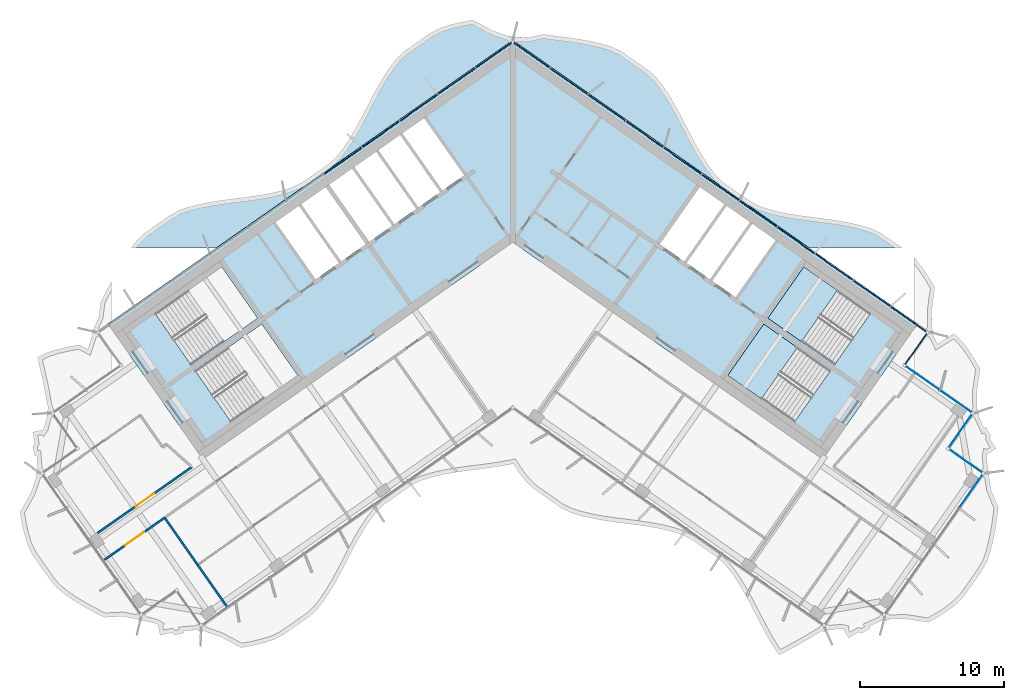
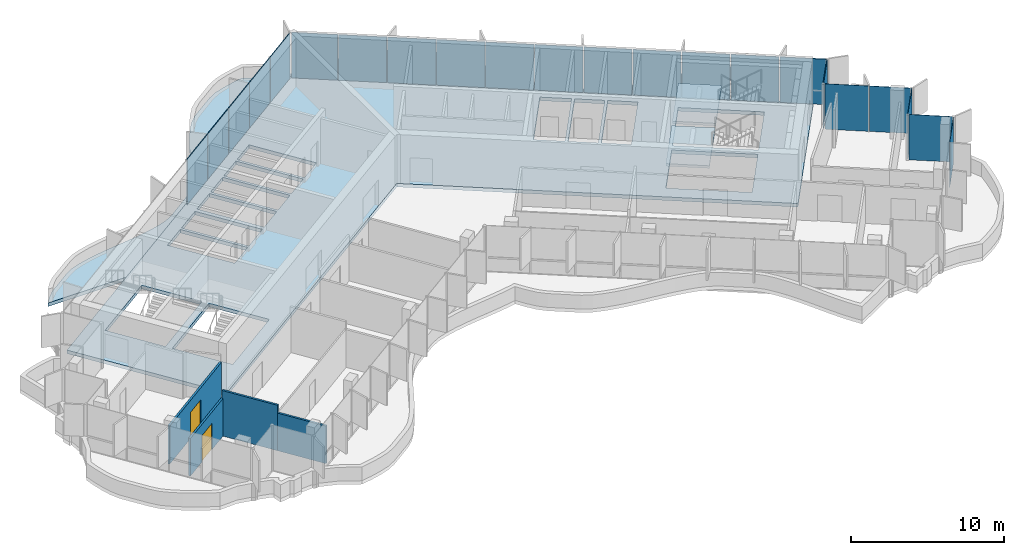
# One storey, part 10 of 20: 22 plates, 4 slabs, 4 walls, 2 doors, 2 openings, 4 elements without a shape of their own.
"""IFC4 building model written with IfcOpenShell, lengths in metres."""

from ifc_helpers import new_model, si_unit, direction, frame, frame_2d, origin, origin_2d, place, context, subcontext, project, spatial, polyline, rectangle, outline, extrude, material, layer, layer_set, type_object, element, fill, aggregate, save


model = new_model("IFC4")

# Units and contexts
model_context = context("Model", 3, precision=1e-05, world=origin(), true_north=direction((0.0, 1.0)))
body_context = subcontext(model_context, "Body", "Model", "MODEL_VIEW")
ifc_project = project(units=[si_unit("LENGTHUNIT", "METRE"), si_unit("AREAUNIT", "SQUARE_METRE"), si_unit("VOLUMEUNIT", "CUBIC_METRE"), si_unit("PLANEANGLEUNIT", "RADIAN"), si_unit("MASSUNIT", "GRAM", prefix="KILO")], contexts=[model_context])

# Site, building, storey
site_placement = place(None, origin())
site = spatial("IfcSite", under=ifc_project, at=site_placement, CompositionType="ELEMENT")
building_placement = place(site_placement, origin())
building = spatial("IfcBuilding", under=site, at=building_placement, Name="Tel Ilan Convention Tower", CompositionType="ELEMENT")
storey_placement = place(building_placement, frame((0.0, 0.0, 229.300048828125)))
storey = spatial("IfcBuildingStorey", under=building, at=storey_placement, Name="L53", CompositionType="ELEMENT", Elevation=229.300048828125)

# Curtain wall, plates
ifc_material_1 = material(Name="Aluminium, bronze anodised", Category="aluminium")
curtain_wall_type_1 = type_object("IfcCurtainWallType", Name="CW2 STICK CURTAIN WALL, SPANDREL PANELS", PredefinedType="NOTDEFINED", material=ifc_material_1)
curtain_wall_1_placement = place(storey_placement, origin())
curtain_wall_1 = element("IfcCurtainWall", 1, at=curtain_wall_1_placement, inside=storey, type_object=curtain_wall_type_1, Name="Curtain wall CW2-42.01", PredefinedType="NOTDEFINED")
ifc_material_2 = material(Name="Aluminium composite panel, bronze anodised", Category="aluminium")
ifc_layer_1 = layer(ifc_material_2, 0.06005859375)
ifc_layer_set_1 = layer_set([ifc_layer_1], Name="CW SPANDREL PANEL 60")
plate_type_1 = type_object("IfcPlateType", Name="CW SPANDREL PANEL 60", PredefinedType="CURTAIN_PANEL", material=ifc_layer_set_1)
plate_1_placement = place(storey_placement, frame((28.033935546875, -8.60546875, 0.0), z_axis=(0.0, 0.0, 1.0), x_axis=(0.573576436351, 0.819152044289, 0.0)))
plate_1 = element("IfcPlate", 2, at=plate_1_placement, type_object=plate_type_1, Name="Spandrel panel", PredefinedType="CURTAIN_PANEL", context=body_context, shape_type="SweptSolid", body=[
    extrude(rectangle(XDim=2.658935546875, YDim=0.06005859375, at=origin_2d()), origin(), (0.0, 0.0, 1.0), 3.6201171875),
])
plate_2_placement = place(storey_placement, frame((27.5400390625, -6.587646484375, 0.0), z_axis=(0.0, 0.0, 1.0), x_axis=(-0.819152044289, 0.573576436351, 0.0)))
plate_2 = element("IfcPlate", 3, at=plate_2_placement, type_object=plate_type_1, Name="Spandrel panel", PredefinedType="CURTAIN_PANEL", context=body_context, shape_type="SweptSolid", body=[
    extrude(rectangle(XDim=3.0439453125, YDim=0.06005859375, at=origin_2d()), origin(), (0.0, 0.0, 1.0), 3.6201171875),
])
plate_3_placement = place(storey_placement, frame((24.95263671875, -4.77587890625, 0.0), z_axis=(0.0, 0.0, 1.0), x_axis=(-0.819152044289, 0.573576436351, 0.0)))
plate_3 = element("IfcPlate", 4, at=plate_3_placement, type_object=plate_type_1, Name="Spandrel panel", PredefinedType="CURTAIN_PANEL", context=body_context, shape_type="SweptSolid", body=[
    extrude(rectangle(XDim=3.15380859375, YDim=0.06005859375, at=origin_2d()), origin(), (0.0, 0.0, 1.0), 3.6201171875),
])
plate_4_placement = place(storey_placement, frame((22.31982421875, -2.9326171875, 0.0), z_axis=(0.0, 0.0, 1.0), x_axis=(-0.819152044289, 0.573576436351, 0.0)))
plate_4 = element("IfcPlate", 5, at=plate_4_placement, type_object=plate_type_1, Name="Spandrel panel", PredefinedType="CURTAIN_PANEL", context=body_context, shape_type="SweptSolid", body=[
    extrude(rectangle(XDim=3.15380859375, YDim=0.06005859375, at=origin_2d()), origin(), (0.0, 0.0, 1.0), 3.6201171875),
])
plate_5_placement = place(storey_placement, frame((19.687255859375, -1.089111328125, 0.0), z_axis=(0.0, 0.0, 1.0), x_axis=(-0.819152044289, 0.573576436351, 0.0)))
plate_5 = element("IfcPlate", 6, at=plate_5_placement, type_object=plate_type_1, Name="Spandrel panel", PredefinedType="CURTAIN_PANEL", context=body_context, shape_type="SweptSolid", body=[
    extrude(rectangle(XDim=3.15380859375, YDim=0.06005859375, at=origin_2d()), origin(), (0.0, 0.0, 1.0), 3.6201171875),
])
plate_6_placement = place(storey_placement, frame((17.0546875, 0.754150390625, 0.0), z_axis=(0.0, 0.0, 1.0), x_axis=(-0.819152044289, 0.573576436351, 0.0)))
plate_6 = element("IfcPlate", 7, at=plate_6_placement, type_object=plate_type_1, Name="Spandrel panel", PredefinedType="CURTAIN_PANEL", context=body_context, shape_type="SweptSolid", body=[
    extrude(rectangle(XDim=3.15380859375, YDim=0.06005859375, at=origin_2d()), origin(), (0.0, 0.0, 1.0), 3.6201171875),
])
plate_7_placement = place(storey_placement, frame((14.422119140625, 2.59765625, 0.0), z_axis=(0.0, 0.0, 1.0), x_axis=(-0.819152044289, 0.573576436351, 0.0)))
plate_7 = element("IfcPlate", 8, at=plate_7_placement, type_object=plate_type_1, Name="Spandrel panel", PredefinedType="CURTAIN_PANEL", context=body_context, shape_type="SweptSolid", body=[
    extrude(rectangle(XDim=3.15380859375, YDim=0.06005859375, at=origin_2d()), origin(), (0.0, 0.0, 1.0), 3.6201171875),
])
plate_8_placement = place(storey_placement, frame((11.789306640625, 4.44091796875, 0.0), z_axis=(0.0, 0.0, 1.0), x_axis=(-0.819152044289, 0.573576436351, 0.0)))
plate_8 = element("IfcPlate", 9, at=plate_8_placement, type_object=plate_type_1, Name="Spandrel panel", PredefinedType="CURTAIN_PANEL", context=body_context, shape_type="SweptSolid", body=[
    extrude(rectangle(XDim=3.15380859375, YDim=0.06005859375, at=origin_2d()), origin(), (0.0, 0.0, 1.0), 3.6201171875),
])
plate_9_placement = place(storey_placement, frame((9.15673828125, 6.284423828125, 0.0), z_axis=(0.0, 0.0, 1.0), x_axis=(-0.819152044289, 0.573576436351, 0.0)))
plate_9 = element("IfcPlate", 10, at=plate_9_placement, type_object=plate_type_1, Name="Spandrel panel", PredefinedType="CURTAIN_PANEL", context=body_context, shape_type="SweptSolid", body=[
    extrude(rectangle(XDim=3.15380859375, YDim=0.06005859375, at=origin_2d()), origin(), (0.0, 0.0, 1.0), 3.6201171875),
])
plate_10_placement = place(storey_placement, frame((6.524169921875, 8.127685546875, 0.0), z_axis=(0.0, 0.0, 1.0), x_axis=(-0.819152044289, 0.573576436351, 0.0)))
plate_10 = element("IfcPlate", 11, at=plate_10_placement, type_object=plate_type_1, Name="Spandrel panel", PredefinedType="CURTAIN_PANEL", context=body_context, shape_type="SweptSolid", body=[
    extrude(rectangle(XDim=3.15380859375, YDim=0.06005859375, at=origin_2d()), origin(), (0.0, 0.0, 1.0), 3.6201171875),
])
plate_11_placement = place(storey_placement, frame((3.8916015625, 9.97119140625, 0.0), z_axis=(0.0, 0.0, 1.0), x_axis=(-0.819152044289, 0.573576436351, 0.0)))
plate_11 = element("IfcPlate", 12, at=plate_11_placement, type_object=plate_type_1, Name="Spandrel panel", PredefinedType="CURTAIN_PANEL", context=body_context, shape_type="SweptSolid", body=[
    extrude(rectangle(XDim=3.15380859375, YDim=0.06005859375, at=origin_2d()), origin(), (0.0, 0.0, 1.0), 3.6201171875),
])
plate_12_placement = place(storey_placement, frame((1.303955078125, 11.782958984375, 0.0), z_axis=(0.0, 0.0, 1.0), x_axis=(-0.819152044289, 0.573576436351, 0.0)))
plate_12 = element("IfcPlate", 13, at=plate_12_placement, type_object=plate_type_1, Name="Spandrel panel", PredefinedType="CURTAIN_PANEL", context=body_context, shape_type="SweptSolid", body=[
    extrude(rectangle(XDim=3.0439453125, YDim=0.06005859375, at=origin_2d()), origin(), (0.0, 0.0, 1.0), 3.6201171875),
])
plate_13_placement = place(storey_placement, frame((-1.303955078125, 11.782958984375, 0.0), z_axis=(0.0, 0.0, 1.0), x_axis=(-0.819152044289, -0.573576436351, 0.0)))
plate_13 = element("IfcPlate", 14, at=plate_13_placement, type_object=plate_type_1, Name="Spandrel panel", PredefinedType="CURTAIN_PANEL", context=body_context, shape_type="SweptSolid", body=[
    extrude(rectangle(XDim=3.0439453125, YDim=0.06005859375, at=origin_2d()), origin(), (0.0, 0.0, 1.0), 3.6201171875),
])
plate_14_placement = place(storey_placement, frame((-3.8916015625, 9.97119140625, 0.0), z_axis=(0.0, 0.0, 1.0), x_axis=(-0.819152044289, -0.573576436351, 0.0)))
plate_14 = element("IfcPlate", 15, at=plate_14_placement, type_object=plate_type_1, Name="Spandrel panel", PredefinedType="CURTAIN_PANEL", context=body_context, shape_type="SweptSolid", body=[
    extrude(rectangle(XDim=3.15380859375, YDim=0.06005859375, at=origin_2d()), origin(), (0.0, 0.0, 1.0), 3.6201171875),
])
plate_15_placement = place(storey_placement, frame((-6.524169921875, 8.127685546875, 0.0), z_axis=(0.0, 0.0, 1.0), x_axis=(-0.819152044289, -0.573576436351, 0.0)))
plate_15 = element("IfcPlate", 16, at=plate_15_placement, type_object=plate_type_1, Name="Spandrel panel", PredefinedType="CURTAIN_PANEL", context=body_context, shape_type="SweptSolid", body=[
    extrude(rectangle(XDim=3.15380859375, YDim=0.06005859375, at=origin_2d()), origin(), (0.0, 0.0, 1.0), 3.6201171875),
])
plate_16_placement = place(storey_placement, frame((-9.15673828125, 6.284423828125, 0.0), z_axis=(0.0, 0.0, 1.0), x_axis=(-0.819152044289, -0.573576436351, 0.0)))
plate_16 = element("IfcPlate", 17, at=plate_16_placement, type_object=plate_type_1, Name="Spandrel panel", PredefinedType="CURTAIN_PANEL", context=body_context, shape_type="SweptSolid", body=[
    extrude(rectangle(XDim=3.15380859375, YDim=0.06005859375, at=origin_2d()), origin(), (0.0, 0.0, 1.0), 3.6201171875),
])
plate_17_placement = place(storey_placement, frame((-11.789306640625, 4.44091796875, 0.0), z_axis=(0.0, 0.0, 1.0), x_axis=(-0.819152044289, -0.573576436351, 0.0)))
plate_17 = element("IfcPlate", 18, at=plate_17_placement, type_object=plate_type_1, Name="Spandrel panel", PredefinedType="CURTAIN_PANEL", context=body_context, shape_type="SweptSolid", body=[
    extrude(rectangle(XDim=3.15380859375, YDim=0.06005859375, at=origin_2d()), origin(), (0.0, 0.0, 1.0), 3.6201171875),
])
aggregate(curtain_wall_1, [plate_1, plate_2, plate_3, plate_4, plate_5, plate_6, plate_7, plate_8, plate_9, plate_10, plate_11, plate_12, plate_13, plate_14, plate_15, plate_16, plate_17])

ifc_material_3 = material(Name="Aluminium, bronze anodised", Category="aluminium")
curtain_wall_type_2 = type_object("IfcCurtainWallType", Name="CW5 STICK CURTAIN WALL, UPPER OFFICE LOW-IRON TINTED GLASS", PredefinedType="NOTDEFINED", material=ifc_material_3)
curtain_wall_2_placement = place(storey_placement, origin())
curtain_wall_2 = element("IfcCurtainWall", 19, at=curtain_wall_2_placement, inside=storey, type_object=curtain_wall_type_2, Name="Curtain wall CW5-42.02", PredefinedType="NOTDEFINED")
ifc_material_4 = material(Name="Glass, low-iron bronze tinted, two-ply", Category="glass")
ifc_layer_2 = layer(ifc_material_4, 0.031982421875)
ifc_layer_set_2 = layer_set([ifc_layer_2], Name="CW UPPER GLASS PANEL 32")
plate_type_2 = type_object("IfcPlateType", Name="CW UPPER GLASS PANEL 32", PredefinedType="CURTAIN_PANEL", material=ifc_layer_set_2)
plate_18_placement = place(storey_placement, frame((31.85693359375, -18.488037109375, 0.0), z_axis=(0.0, 0.0, 1.0), x_axis=(0.573576436351, 0.819152044289, 0.0)))
plate_18 = element("IfcPlate", 20, at=plate_18_placement, type_object=plate_type_2, Name="Glass panel", PredefinedType="CURTAIN_PANEL", context=body_context, shape_type="SweptSolid", body=[
    extrude(rectangle(XDim=2.89599609375, YDim=0.028076171875, at=origin_2d()), origin(), (0.0, 0.0, 1.0), 3.6201171875),
])
plate_19_placement = place(storey_placement, frame((31.504150390625, -16.44384765625, 0.0), z_axis=(0.0, 0.0, 1.0), x_axis=(-0.819152044289, 0.573576436351, 0.0)))
plate_19 = element("IfcPlate", 21, at=plate_19_placement, type_object=plate_type_2, Name="Glass panel", PredefinedType="CURTAIN_PANEL", context=body_context, shape_type="SweptSolid", body=[
    extrude(rectangle(XDim=2.875, YDim=0.028076171875, at=origin_2d()), origin(), (0.0, 0.0, 1.0), 3.6201171875),
])
plate_20_placement = place(storey_placement, frame((31.126220703125, -14.30126953125, 0.0), z_axis=(0.0, 0.0, 1.0), x_axis=(0.573576436351, 0.819152044289, 0.0)))
plate_20 = element("IfcPlate", 22, at=plate_20_placement, type_object=plate_type_2, Name="Glass panel", PredefinedType="CURTAIN_PANEL", context=body_context, shape_type="SweptSolid", body=[
    extrude(rectangle(XDim=2.875, YDim=0.028076171875, at=origin_2d()), origin(), (0.0, 0.0, 1.0), 3.6201171875),
])
plate_21_placement = place(storey_placement, frame((30.8203125, -12.302734375, 0.0), z_axis=(0.0, 0.0, 1.0), x_axis=(-0.819152044289, 0.573576436351, 0.0)))
plate_21 = element("IfcPlate", 23, at=plate_21_placement, type_object=plate_type_2, Name="Glass panel", PredefinedType="CURTAIN_PANEL", context=body_context, shape_type="SweptSolid", body=[
    extrude(rectangle(XDim=2.74609375, YDim=0.028076171875, at=origin_2d()), origin(), (0.0, 0.0, 1.0), 3.6201171875),
])
plate_22_placement = place(storey_placement, frame((28.471435546875, -10.657958984375, 0.0), z_axis=(0.0, 0.0, 1.0), x_axis=(-0.819152044289, 0.573576436351, 0.0)))
plate_22 = element("IfcPlate", 24, at=plate_22_placement, type_object=plate_type_2, Name="Glass panel", PredefinedType="CURTAIN_PANEL", context=body_context, shape_type="SweptSolid", body=[
    extrude(rectangle(XDim=2.868896484375, YDim=0.028076171875, at=origin_2d()), origin(), (0.0, 0.0, 1.0), 3.6201171875),
])
aggregate(curtain_wall_2, [plate_18, plate_19, plate_20, plate_21, plate_22])

# Stair, slab
ifc_material_5 = material(Name="Concrete C40/50", Category="concrete")
stair_type = type_object("IfcStairType", Name="Pressurised Exit Stair 22 risers 177 mm", PredefinedType="HALF_TURN_STAIR", material=ifc_material_5)
stair_1_placement = place(storey_placement, origin())
stair_1 = element("IfcStair", 25, at=stair_1_placement, inside=storey, type_object=stair_type, Name="L53 Pressurised Stair S3", PredefinedType="HALF_TURN_STAIR")
ifc_material_6 = material(Name="Concrete C40/50", Category="concrete")
ifc_layer_3 = layer(ifc_material_6, 0.199951171875)
ifc_layer_set_3 = layer_set([ifc_layer_3], Name="Concrete Stair Landing 200 mm C40/50")
slab_type_1 = type_object("IfcSlabType", Name="Concrete Stair Landing 200 mm", PredefinedType="LANDING", material=ifc_layer_set_3)
slab_1_placement = place(storey_placement, frame((0.0, 0.0, 1.75)))
slab_1 = element("IfcSlab", 26, at=slab_1_placement, type_object=slab_type_1, Name="S3 landing 1", PredefinedType="LANDING", context=body_context, shape_type="SweptSolid", body=[
    extrude(outline(polyline([(22.561767578125, -4.566650390625), (20.226318359375, -2.931640625), (17.7314453125, -6.494873046875), (20.066650390625, -8.130126953125), (22.561767578125, -4.566650390625)])), origin(), (0.0, 0.0, 1.0), 0.199951171875),
])
aggregate(stair_1, [slab_1])

stair_2_placement = place(storey_placement, origin())
stair_2 = element("IfcStair", 27, at=stair_2_placement, inside=storey, type_object=stair_type, Name="L53 Pressurised Stair S4", PredefinedType="HALF_TURN_STAIR")
slab_2_placement = place(storey_placement, frame((0.0, 0.0, 1.75)))
slab_2 = element("IfcSlab", 28, at=slab_2_placement, type_object=slab_type_1, Name="S4 landing 1", PredefinedType="LANDING", context=body_context, shape_type="SweptSolid", body=[
    extrude(outline(polyline([(19.77978515625, -8.53955078125), (17.444580078125, -6.904541015625), (14.949462890625, -10.4677734375), (17.28466796875, -12.10302734375), (19.77978515625, -8.53955078125)])), origin(), (0.0, 0.0, 1.0), 0.199951171875),
])
aggregate(stair_2, [slab_2])

# Slabs
ifc_material_7 = material(Name="Concrete C40/50", Category="concrete")
ifc_layer_4 = layer(ifc_material_7, 0.280029296875)
ifc_layer_set_4 = layer_set([ifc_layer_4], Name="Core Floor Slab 280 mm C40/50")
slab_type_2 = type_object("IfcSlabType", Name="Core Floor Slab 280 mm C40/50", PredefinedType="FLOOR", material=ifc_layer_set_4)
slab_3_placement = place(storey_placement, frame((0.0, 0.0, -0.280029296875)))
element("IfcSlab", 29, at=slab_3_placement, inside=storey, type_object=slab_type_2, Name="L53 core floor 1", PredefinedType="FLOOR", context=body_context, shape_type="SweptSolid", body=[
    extrude(outline(polyline([(-28.1396484375, -6.885498046875), (0.0, 12.818115234375), (28.1396484375, -6.885498046875), (21.54345703125, -16.3056640625), (0.0, -1.220703125), (-21.54345703125, -16.3056640625), (-28.1396484375, -6.885498046875)]), holes=[polyline([(-17.444580078125, -6.904541015625), (-22.072021484375, -10.144775390625), (-19.5771484375, -13.7080078125), (-14.949462890625, -10.4677734375), (-17.444580078125, -6.904541015625)]), polyline([(-17.7314453125, -6.494873046875), (-20.226318359375, -2.931640625), (-24.85400390625, -6.171875), (-22.35888671875, -9.735107421875), (-17.7314453125, -6.494873046875)]), polyline([(-14.864990234375, 1.310791015625), (-16.48291015625, 0.177978515625), (-13.701171875, -3.794921875), (-12.083251953125, -2.662109375), (-14.864990234375, 1.310791015625)]), polyline([(-14.701416015625, 1.425537109375), (-11.91943359375, -2.54736328125), (-10.2197265625, -1.357421875), (-13.001708984375, 2.615478515625), (-14.701416015625, 1.425537109375)]), polyline([(-11.168701171875, 3.89892578125), (-12.755859375, 2.78759765625), (-9.97412109375, -1.185302734375), (-8.386962890625, -0.073974609375), (-11.168701171875, 3.89892578125)]), polyline([(-9.499755859375, 5.067626953125), (-11.0048828125, 4.013671875), (-8.222900390625, 0.040771484375), (-6.718017578125, 1.0947265625), (-9.499755859375, 5.067626953125)]), polyline([(-9.3359375, 5.182373046875), (-6.553955078125, 1.20947265625), (-5.048828125, 2.263427734375), (-7.830810546875, 6.236328125), (-9.3359375, 5.182373046875)]), polyline([(17.444580078125, -6.904541015625), (14.949462890625, -10.4677734375), (19.5771484375, -13.7080078125), (22.072021484375, -10.144775390625), (17.444580078125, -6.904541015625)]), polyline([(20.226318359375, -2.931640625), (17.7314453125, -6.494873046875), (22.35888671875, -9.735107421875), (24.85400390625, -6.171875), (20.226318359375, -2.931640625)]), polyline([(15.48291015625, -5.04248046875), (18.2646484375, -1.069580078125), (16.646728515625, 0.063232421875), (13.864990234375, -3.90966796875), (15.48291015625, -5.04248046875)]), polyline([(13.701171875, -3.794921875), (16.48291015625, 0.177978515625), (14.864990234375, 1.310791015625), (12.083251953125, -2.662109375), (13.701171875, -3.794921875)]), polyline([(11.91943359375, -2.54736328125), (14.701416015625, 1.425537109375), (13.001708984375, 2.615478515625), (10.2197265625, -1.357421875), (11.91943359375, -2.54736328125)]), polyline([(-6.16162109375, 7.405029296875), (-7.666748046875, 6.35107421875), (-4.885009765625, 2.378173828125), (-3.3798828125, 3.43212890625), (-6.16162109375, 7.405029296875)])]), origin(), (0.0, 0.0, 1.0), 0.280029296875),
])
ifc_material_8 = material(Name="Concrete C40/50", Category="concrete")
ifc_layer_5 = layer(ifc_material_8, 0.280029296875)
ifc_layer_set_5 = layer_set([ifc_layer_5], Name="Edge Ledge Slab 280 mm C40/50")
slab_type_3 = type_object("IfcSlabType", Name="Edge Ledge Slab 280 mm C40/50", PredefinedType="FLOOR", material=ifc_layer_set_5)
slab_4_placement = place(storey_placement, frame((0.0, 0.0, -0.280029296875)))
element("IfcSlab", 30, at=slab_4_placement, inside=storey, type_object=slab_type_3, Name="L53 edge ledge 2", PredefinedType="FLOOR", context=body_context, shape_type="SweptSolid", body=[
    extrude(outline(polyline([(-23.1982421875, 1.006591796875), (-22.4697265625, 1.250244140625), (-21.705322265625, 1.44287109375), (-20.91259765625, 1.594482421875), (-20.099365234375, 1.71728515625), (-19.275146484375, 1.824462890625), (-18.44970703125, 1.9296875), (-17.6328125, 2.047119140625), (-16.833984375, 2.18994140625), (-16.0615234375, 2.37109375), (-15.3232421875, 2.6005859375), (-14.651611328125, 2.92529296875), (-12.841552734375, 4.192626953125), (-12.284912109375, 4.681640625), (-11.809326171875, 5.28662109375), (-11.369140625, 5.94189453125), (-10.956787109375, 6.63720703125), (-10.564453125, 7.36083984375), (-10.182373046875, 8.09912109375), (-9.80078125, 8.83837890625), (-9.410400390625, 9.564697265625), (-9.001220703125, 10.264404296875), (-8.56494140625, 10.925537109375), (-8.094482421875, 11.53759765625), (-7.552001953125, 12.047119140625), (-5.7421875, 13.314208984375), (-5.0849609375, 13.66015625), (-4.3515625, 13.896484375), (-3.5830078125, 14.083251953125), (-2.785888671875, 14.228515625), (-1.357666015625, 13.472900390625), (-0.172119140625, 13.06396484375), (-0.168701171875, 13.05908203125), (-0.11474609375, 13.09521484375), (0.0, 13.1181640625), (0.11474609375, 13.09521484375), (0.168701171875, 13.05908203125), (0.172119140625, 13.06396484375), (1.02001953125, 12.99072265625), (2.08935546875, 13.234130859375), (2.913818359375, 13.12744140625), (3.739501953125, 13.0224609375), (4.55712890625, 12.90625), (5.357666015625, 12.765380859375), (6.132080078125, 12.587158203125), (6.872802734375, 12.361083984375), (7.552001953125, 12.047119140625), (9.36181640625, 10.77978515625), (9.925537109375, 10.300537109375), (10.403564453125, 9.69921875), (10.845947265625, 9.046875), (11.259521484375, 8.353515625), (11.653076171875, 7.631591796875), (12.035400390625, 6.893798828125), (12.416748046875, 6.154052734375), (12.806396484375, 5.426513671875), (13.214111328125, 4.724609375), (13.648193359375, 4.060791015625), (14.116455078125, 3.4453125), (14.651611328125, 2.92529296875), (15.2548828125, 2.502685546875), (16.46142578125, 1.657958984375), (17.111328125, 1.30224609375), (17.84228515625, 1.062255859375), (18.60888671875, 0.87255859375), (19.4033203125, 0.72314453125), (20.21728515625, 0.601806640625), (21.0419921875, 0.495361328125), (21.8671875, 0.3896484375), (22.68310546875, 0.27099609375), (23.480712890625, 0.1259765625), (24.2509765625, -0.057861328125), (24.987060546875, -0.290771484375), (25.6513671875, -0.626220703125), (27.087158203125, -1.631591796875), (20.63623046875, -1.631591796875), (0.0, 12.818115234375), (-20.63623046875, -1.631591796875), (-26.535888671875, -1.631591796875), (-26.1787109375, -1.156982421875), (-25.6513671875, -0.626220703125), (-23.84130859375, 0.64111328125), (-23.1982421875, 1.006591796875)])), origin(), (0.0, 0.0, 1.0), 0.280029296875),
])

# Wall, opening, door
ifc_material_9 = material(Name="Plasterboard on Steel Studs", Category="steel")
ifc_layer_6 = layer(ifc_material_9, 0.14990234375)
ifc_layer_set_6 = layer_set([ifc_layer_6], Name="Fire-rated Partition 150 EI 60")
wall_type = type_object("IfcWallType", Name="Fire-rated Partition 150 EI 60", PredefinedType="PARTITIONING", material=ifc_layer_set_6)
wall_1_placement = place(storey_placement, frame((-28.858154296875, -21.428466796875, 0.0), z_axis=(0.0, 0.0, 1.0), x_axis=(0.819138799838, 0.573595350923, 0.0)))
wall_1 = element("IfcWall", 31, at=wall_1_placement, inside=storey, type_object=wall_type, Name="Partition 007", PredefinedType="PARTITIONING", context=body_context, shape_type="SweptSolid", body=[
    extrude(rectangle(XDim=8.007080078125, YDim=0.14990234375, at=frame_2d((4.00341796875, 0.0))), origin(), (0.0, 0.0, 1.0), 3.050048828125),
])
opening_1_placement = place(wall_1_placement, frame((3.20361328125, 0.0, 0.0)))
opening_1 = element("IfcOpeningElement", 32, at=opening_1_placement, cuts=wall_1, Name="Opening L53-007", PredefinedType="OPENING", context=body_context, shape_type="SweptSolid", body=[
    extrude(rectangle(XDim=1.60009765625, YDim=2.10009765625, at=frame_2d((0.800048828125, 1.050048828125))), frame((0.0, 0.0849609375, 0.0), z_axis=(0.0, -1.0, 0.0), x_axis=(1.0, 0.0, 0.0)), (0.0, 0.0, 1.0), 0.169921875),
])
ifc_material_10 = material(Name="Timber Door Leaf in Steel Frame", Category="steel")
door_type = type_object("IfcDoorType", Name="Tenant Suite Entrance Fire Door 1600x2100", OperationType="NOTDEFINED", PredefinedType="DOOR", material=ifc_material_10)
door_1_placement = place(opening_1_placement, origin())
door_1 = element("IfcDoor", 33, at=door_1_placement, inside=storey, type_object=door_type, Name="Door L53-007", OperationType="DOUBLE_DOOR_SINGLE_SWING", OverallHeight=2.10009765625, OverallWidth=1.60009765625, PredefinedType="DOOR", context=body_context, shape_type="SweptSolid", body=[
    extrude(rectangle(XDim=1.60009765625, YDim=2.10009765625, at=frame_2d((0.800048828125, 1.050048828125))), frame((0.0, 0.02490234375, 0.0), z_axis=(0.0, -1.0, 0.0), x_axis=(1.0, 0.0, 0.0)), (0.0, 0.0, 1.0), 0.050048828125),
])
fill(opening_1, door_1)

wall_2_placement = place(storey_placement, frame((-24.19580078125, -20.360107421875, 0.0), z_axis=(0.0, 0.0, 1.0), x_axis=(-0.819132992492, -0.573603644176, 0.0)))
wall_2 = element("IfcWall", 34, at=wall_2_placement, inside=storey, type_object=wall_type, Name="Partition 012", PredefinedType="PARTITIONING", context=body_context, shape_type="SweptSolid", body=[
    extrude(rectangle(XDim=5.10205078125, YDim=0.14990234375, at=frame_2d((2.551025390625, 0.0))), origin(), (0.0, 0.0, 1.0), 3.0),
])
opening_2_placement = place(wall_2_placement, frame((1.7509765625, 0.0, 0.0)))
opening_2 = element("IfcOpeningElement", 35, at=opening_2_placement, cuts=wall_2, Name="Opening L53-006", PredefinedType="OPENING", context=body_context, shape_type="SweptSolid", body=[
    extrude(rectangle(XDim=1.60009765625, YDim=2.10009765625, at=frame_2d((0.800048828125, 1.050048828125))), frame((0.0, 0.0849609375, 0.0), z_axis=(0.0, -1.0, 0.0), x_axis=(1.0, 0.0, 0.0)), (0.0, 0.0, 1.0), 0.169921875),
])
door_2_placement = place(opening_2_placement, origin())
door_2 = element("IfcDoor", 36, at=door_2_placement, inside=storey, type_object=door_type, Name="Door L53-006", OperationType="DOUBLE_DOOR_SINGLE_SWING", OverallHeight=2.10009765625, OverallWidth=1.60009765625, PredefinedType="DOOR", context=body_context, shape_type="SweptSolid", body=[
    extrude(rectangle(XDim=1.60009765625, YDim=2.10009765625, at=frame_2d((0.800048828125, 1.050048828125))), frame((0.0, 0.02490234375, 0.0), z_axis=(0.0, -1.0, 0.0), x_axis=(1.0, 0.0, 0.0)), (0.0, 0.0, 1.0), 0.050048828125),
])
fill(opening_2, door_2)

# Walls
wall_3_placement = place(storey_placement, frame((-19.8955078125, -26.5048828125, 0.0), z_axis=(0.0, 0.0, 1.0), x_axis=(-0.573555999232, 0.819166354134, 0.0)))
element("IfcWall", 37, at=wall_3_placement, inside=storey, type_object=wall_type, Name="Partition 035", PredefinedType="PARTITIONING", context=body_context, shape_type="SweptSolid", body=[
    extrude(rectangle(XDim=3.4990234375, YDim=0.14990234375, at=frame_2d((1.74951171875, 0.0))), origin(), (0.0, 0.0, 1.0), 3.0),
])
wall_4_placement = place(storey_placement, frame((-21.903076171875, -23.637939453125, 0.0), z_axis=(0.0, 0.0, 1.0), x_axis=(-0.573556557423, 0.819165963305, 0.0)))
element("IfcWall", 38, at=wall_4_placement, inside=storey, type_object=wall_type, Name="Partition 036", PredefinedType="PARTITIONING", context=body_context, shape_type="SweptSolid", body=[
    extrude(rectangle(XDim=4.0, YDim=0.14990234375, at=frame_2d((2.0, 0.0))), origin(), (0.0, 0.0, 1.0), 3.619873046875),
])

save(model, "model.ifc")
